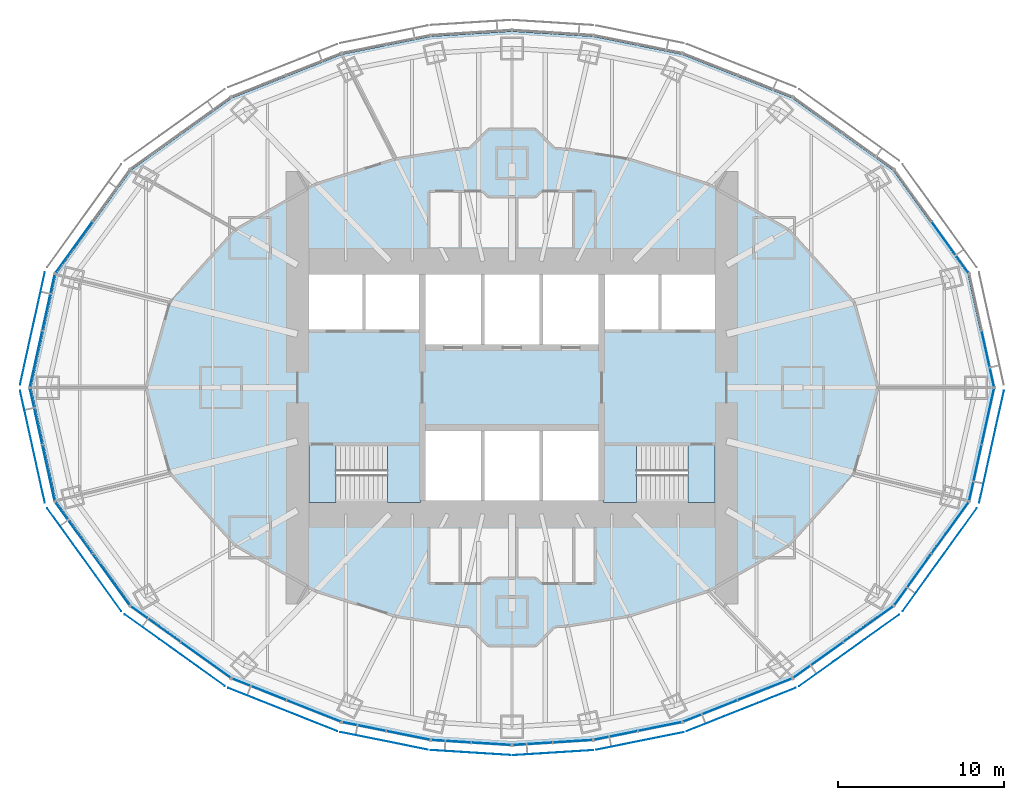
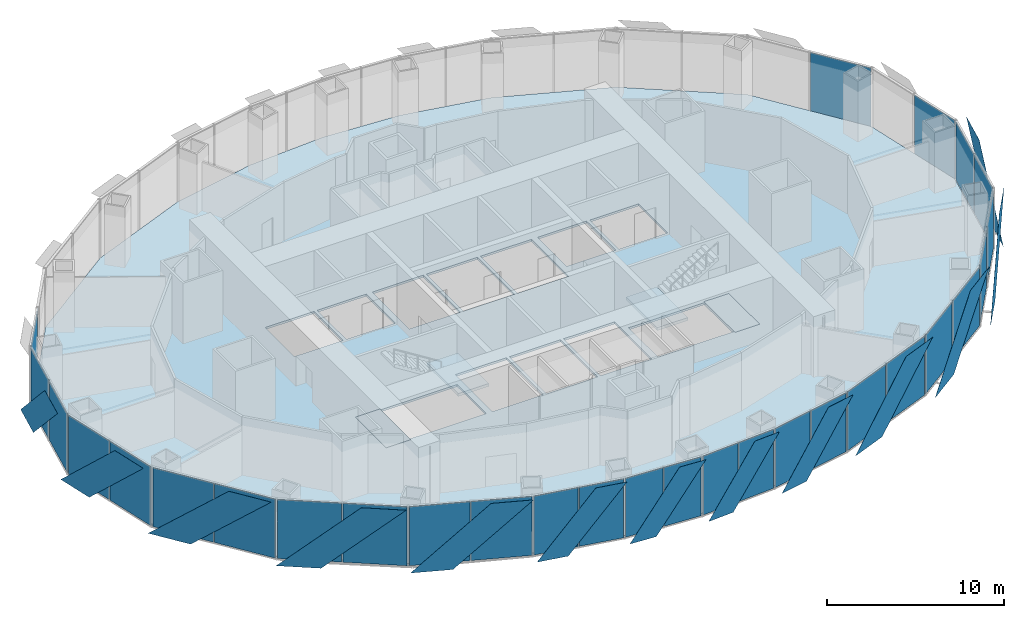
# One storey, part 9 of 17: 42 plates, 5 slabs, 18 elements without a shape of their own.
"""IFC4 building model written with IfcOpenShell, lengths in metres."""

from ifc_helpers import new_model, si_unit, direction, frame, origin, origin_2d, place, context, subcontext, project, spatial, polyline, rectangle, outline, extrude, material, layer, layer_set, type_object, element, aggregate, save


model = new_model("IFC4")

# Units and contexts
model_context = context("Model", 3, precision=1e-05, world=origin(), true_north=direction((0.0, 1.0)))
body_context = subcontext(model_context, "Body", "Model", "MODEL_VIEW")
ifc_project = project(units=[si_unit("LENGTHUNIT", "METRE"), si_unit("AREAUNIT", "SQUARE_METRE"), si_unit("VOLUMEUNIT", "CUBIC_METRE"), si_unit("PLANEANGLEUNIT", "RADIAN"), si_unit("MASSUNIT", "GRAM", prefix="KILO")], contexts=[model_context])

# Site, building, storey
site_placement = place(None, origin())
site = spatial("IfcSite", under=ifc_project, at=site_placement, CompositionType="ELEMENT")
building_placement = place(site_placement, origin())
building = spatial("IfcBuilding", under=site, at=building_placement, Name="Lantaw Convention Tower", CompositionType="ELEMENT")
storey_placement = place(building_placement, frame((0.0, 0.0, 125.800048828125)))
storey = spatial("IfcBuildingStorey", under=building, at=storey_placement, Name="L29", CompositionType="ELEMENT", Elevation=125.800048828125)

# Curtain wall, plate
ifc_material_1 = material(Name="Aluminium framed curtain wall", Category="aluminium")
curtain_wall_type = type_object("IfcCurtainWallType", Name="Office curtain wall low rise, pale aluminium", PredefinedType="USERDEFINED", material=ifc_material_1)
curtain_wall_1_placement = place(storey_placement, origin())
curtain_wall_1 = element("IfcCurtainWall", 1, at=curtain_wall_1_placement, inside=storey, type_object=curtain_wall_type, Name="Office curtain wall low rise, pale aluminium L29", ObjectType="UNITISED CURTAIN WALL", PredefinedType="USERDEFINED")
ifc_material_2 = material(Name="Clear insulating glass", Category="glass")
ifc_layer_1 = layer(ifc_material_2, 0.028076171875)
ifc_layer_set_1 = layer_set([ifc_layer_1], Name="CW-O1 panel 28")
plate_type_1 = type_object("IfcPlateType", Name="CW-O1 panel 28", PredefinedType="CURTAIN_PANEL", material=ifc_layer_set_1)
plate_1_placement = place(storey_placement, frame((28.618408203125, 1.729248046875, -0.0849609375), z_axis=(0.0, 0.0, 1.0), x_axis=(-0.215546166174, 0.9764936509, 0.0)))
plate_1 = element("IfcPlate", 2, at=plate_1_placement, type_object=plate_type_1, Name="CW-O1 panel 1.1", PredefinedType="CURTAIN_PANEL", context=body_context, shape_type="SweptSolid", body=[
    extrude(rectangle(XDim=3.41162109375, YDim=0.028076171875, at=origin_2d()), origin(), (0.0, 0.0, 1.0), 4.070068359375),
])
aggregate(curtain_wall_1, [plate_1])

curtain_wall_2_placement = place(storey_placement, origin())
curtain_wall_2 = element("IfcCurtainWall", 3, at=curtain_wall_2_placement, inside=storey, type_object=curtain_wall_type, Name="Office curtain wall low rise, pale aluminium L29", ObjectType="UNITISED CURTAIN WALL", PredefinedType="USERDEFINED")
plate_2_placement = place(storey_placement, frame((26.34814453125, 8.4345703125, -0.0849609375), z_axis=(0.0, 0.0, 1.0), x_axis=(-0.584512597221, 0.811384633629, 0.0)))
plate_2 = element("IfcPlate", 4, at=plate_2_placement, type_object=plate_type_1, Name="CW-O1 panel 1.1", PredefinedType="CURTAIN_PANEL", context=body_context, shape_type="SweptSolid", body=[
    extrude(rectangle(XDim=3.767333984375, YDim=0.028076171875, at=origin_2d()), origin(), (0.0, 0.0, 1.0), 4.070068359375),
])
aggregate(curtain_wall_2, [plate_2])

curtain_wall_3_placement = place(storey_placement, origin())
curtain_wall_3 = element("IfcCurtainWall", 5, at=curtain_wall_3_placement, inside=storey, type_object=curtain_wall_type, Name="Office curtain wall low rise, pale aluminium L29", ObjectType="UNITISED CURTAIN WALL", PredefinedType="USERDEFINED")
plate_3_placement = place(storey_placement, frame((-26.34814453125, 8.4345703125, -0.0849609375), z_axis=(0.0, 0.0, 1.0), x_axis=(-0.584512597221, -0.811384633629, 0.0)))
plate_3 = element("IfcPlate", 6, at=plate_3_placement, type_object=plate_type_1, Name="CW-O1 panel 2.1", PredefinedType="CURTAIN_PANEL", context=body_context, shape_type="SweptSolid", body=[
    extrude(rectangle(XDim=3.767333984375, YDim=0.028076171875, at=origin_2d()), origin(), (0.0, 0.0, 1.0), 4.070068359375),
])
aggregate(curtain_wall_3, [plate_3])

# Curtain wall, plates
curtain_wall_4_placement = place(storey_placement, origin())
curtain_wall_4 = element("IfcCurtainWall", 7, at=curtain_wall_4_placement, inside=storey, type_object=curtain_wall_type, Name="Office curtain wall low rise, pale aluminium L29", ObjectType="UNITISED CURTAIN WALL", PredefinedType="USERDEFINED")
plate_4_placement = place(storey_placement, frame((-27.868896484375, 5.1240234375, -0.0849609375), z_axis=(0.0, 0.0, 1.0), x_axis=(-0.215546166174, -0.9764936509, 0.0)))
plate_4 = element("IfcPlate", 8, at=plate_4_placement, type_object=plate_type_1, Name="CW-O1 panel 1.1", PredefinedType="CURTAIN_PANEL", context=body_context, shape_type="SweptSolid", body=[
    extrude(rectangle(XDim=3.41162109375, YDim=0.028076171875, at=origin_2d()), origin(), (0.0, 0.0, 1.0), 4.070068359375),
])
plate_5_placement = place(storey_placement, frame((-28.618408203125, 1.729248046875, -0.0849609375), z_axis=(0.0, 0.0, 1.0), x_axis=(-0.215546166174, -0.9764936509, 0.0)))
plate_5 = element("IfcPlate", 9, at=plate_5_placement, type_object=plate_type_1, Name="CW-O1 panel 2.1", PredefinedType="CURTAIN_PANEL", context=body_context, shape_type="SweptSolid", body=[
    extrude(rectangle(XDim=3.41162109375, YDim=0.028076171875, at=origin_2d()), origin(), (0.0, 0.0, 1.0), 4.070068359375),
])
aggregate(curtain_wall_4, [plate_4, plate_5])

curtain_wall_5_placement = place(storey_placement, origin())
curtain_wall_5 = element("IfcCurtainWall", 10, at=curtain_wall_5_placement, inside=storey, type_object=curtain_wall_type, Name="Office curtain wall low rise, pale aluminium L29", ObjectType="UNITISED CURTAIN WALL", PredefinedType="USERDEFINED")
plate_6_placement = place(storey_placement, frame((-28.618408203125, -1.729248046875, -0.0849609375), z_axis=(0.0, 0.0, 1.0), x_axis=(0.215546166174, -0.9764936509, 0.0)))
plate_6 = element("IfcPlate", 11, at=plate_6_placement, type_object=plate_type_1, Name="CW-O1 panel 1.1", PredefinedType="CURTAIN_PANEL", context=body_context, shape_type="SweptSolid", body=[
    extrude(rectangle(XDim=3.41162109375, YDim=0.028076171875, at=origin_2d()), origin(), (0.0, 0.0, 1.0), 4.070068359375),
])
plate_7_placement = place(storey_placement, frame((-27.868896484375, -5.1240234375, -0.0849609375), z_axis=(0.0, 0.0, 1.0), x_axis=(0.215546166174, -0.9764936509, 0.0)))
plate_7 = element("IfcPlate", 12, at=plate_7_placement, type_object=plate_type_1, Name="CW-O1 panel 2.1", PredefinedType="CURTAIN_PANEL", context=body_context, shape_type="SweptSolid", body=[
    extrude(rectangle(XDim=3.41162109375, YDim=0.028076171875, at=origin_2d()), origin(), (0.0, 0.0, 1.0), 4.070068359375),
])
aggregate(curtain_wall_5, [plate_6, plate_7])

curtain_wall_6_placement = place(storey_placement, origin())
curtain_wall_6 = element("IfcCurtainWall", 13, at=curtain_wall_6_placement, inside=storey, type_object=curtain_wall_type, Name="Office curtain wall low rise, pale aluminium L29", ObjectType="UNITISED CURTAIN WALL", PredefinedType="USERDEFINED")
plate_8_placement = place(storey_placement, frame((-26.34814453125, -8.4345703125, -0.0849609375), z_axis=(0.0, 0.0, 1.0), x_axis=(0.584512597221, -0.811384633629, 0.0)))
plate_8 = element("IfcPlate", 14, at=plate_8_placement, type_object=plate_type_1, Name="CW-O1 panel 1.1", PredefinedType="CURTAIN_PANEL", context=body_context, shape_type="SweptSolid", body=[
    extrude(rectangle(XDim=3.767333984375, YDim=0.028076171875, at=origin_2d()), origin(), (0.0, 0.0, 1.0), 4.070068359375),
])
plate_9_placement = place(storey_placement, frame((-24.108154296875, -11.5439453125, -0.0849609375), z_axis=(0.0, 0.0, 1.0), x_axis=(0.584512597221, -0.811384633629, 0.0)))
plate_9 = element("IfcPlate", 15, at=plate_9_placement, type_object=plate_type_1, Name="CW-O1 panel 2.1", PredefinedType="CURTAIN_PANEL", context=body_context, shape_type="SweptSolid", body=[
    extrude(rectangle(XDim=3.767333984375, YDim=0.028076171875, at=origin_2d()), origin(), (0.0, 0.0, 1.0), 4.070068359375),
])
aggregate(curtain_wall_6, [plate_8, plate_9])

curtain_wall_7_placement = place(storey_placement, origin())
curtain_wall_7 = element("IfcCurtainWall", 16, at=curtain_wall_7_placement, inside=storey, type_object=curtain_wall_type, Name="Office curtain wall low rise, pale aluminium L29", ObjectType="UNITISED CURTAIN WALL", PredefinedType="USERDEFINED")
plate_10_placement = place(storey_placement, frame((-21.43408203125, -14.2236328125, -0.0849609375), z_axis=(0.0, 0.0, 1.0), x_axis=(0.813208325995, -0.581972695693, 0.0)))
plate_10 = element("IfcPlate", 17, at=plate_10_placement, type_object=plate_type_1, Name="CW-O1 panel 1.1", PredefinedType="CURTAIN_PANEL", context=body_context, shape_type="SweptSolid", body=[
    extrude(rectangle(XDim=3.645263671875, YDim=0.028076171875, at=origin_2d()), origin(), (0.0, 0.0, 1.0), 4.070068359375),
])
plate_11_placement = place(storey_placement, frame((-18.416748046875, -16.383056640625, -0.0849609375), z_axis=(0.0, 0.0, 1.0), x_axis=(0.813208325995, -0.581972695693, 0.0)))
plate_11 = element("IfcPlate", 18, at=plate_11_placement, type_object=plate_type_1, Name="CW-O1 panel 2.1", PredefinedType="CURTAIN_PANEL", context=body_context, shape_type="SweptSolid", body=[
    extrude(rectangle(XDim=3.645263671875, YDim=0.028076171875, at=origin_2d()), origin(), (0.0, 0.0, 1.0), 4.070068359375),
])
aggregate(curtain_wall_7, [plate_10, plate_11])

curtain_wall_8_placement = place(storey_placement, origin())
curtain_wall_8 = element("IfcCurtainWall", 19, at=curtain_wall_8_placement, inside=storey, type_object=curtain_wall_type, Name="Office curtain wall low rise, pale aluminium L29", ObjectType="UNITISED CURTAIN WALL", PredefinedType="USERDEFINED")
plate_12_placement = place(storey_placement, frame((-15.208251953125, -18.145263671875, -0.0849609375), z_axis=(0.0, 0.0, 1.0), x_axis=(0.929547687544, -0.368701907483, 0.0)))
plate_12 = element("IfcPlate", 20, at=plate_12_placement, type_object=plate_type_1, Name="CW-O1 panel 1.1", PredefinedType="CURTAIN_PANEL", context=body_context, shape_type="SweptSolid", body=[
    extrude(rectangle(XDim=3.470703125, YDim=0.028076171875, at=origin_2d()), origin(), (0.0, 0.0, 1.0), 4.070068359375),
])
plate_13_placement = place(storey_placement, frame((-11.921630859375, -19.448974609375, -0.0849609375), z_axis=(0.0, 0.0, 1.0), x_axis=(0.929547687544, -0.368701907483, 0.0)))
plate_13 = element("IfcPlate", 21, at=plate_13_placement, type_object=plate_type_1, Name="CW-O1 panel 2.1", PredefinedType="CURTAIN_PANEL", context=body_context, shape_type="SweptSolid", body=[
    extrude(rectangle(XDim=3.470703125, YDim=0.028076171875, at=origin_2d()), origin(), (0.0, 0.0, 1.0), 4.070068359375),
])
aggregate(curtain_wall_8, [plate_12, plate_13])

curtain_wall_9_placement = place(storey_placement, origin())
curtain_wall_9 = element("IfcCurtainWall", 22, at=curtain_wall_9_placement, inside=storey, type_object=curtain_wall_type, Name="Office curtain wall low rise, pale aluminium L29", ObjectType="UNITISED CURTAIN WALL", PredefinedType="USERDEFINED")
plate_14_placement = place(storey_placement, frame((-8.893310546875, -20.3857421875, -0.0849609375), z_axis=(0.0, 0.0, 1.0), x_axis=(0.980301514912, -0.197506809659, 0.0)))
plate_14 = element("IfcPlate", 23, at=plate_14_placement, type_object=plate_type_1, Name="CW-O1 panel 1.1", PredefinedType="CURTAIN_PANEL", context=body_context, shape_type="SweptSolid", body=[
    extrude(rectangle(XDim=2.634033203125, YDim=0.028076171875, at=origin_2d()), origin(), (0.0, 0.0, 1.0), 4.070068359375),
])
plate_15_placement = place(storey_placement, frame((-6.247314453125, -20.9189453125, -0.0849609375), z_axis=(0.0, 0.0, 1.0), x_axis=(0.980301514912, -0.197506809659, 0.0)))
plate_15 = element("IfcPlate", 24, at=plate_15_placement, type_object=plate_type_1, Name="CW-O1 panel 2.1", PredefinedType="CURTAIN_PANEL", context=body_context, shape_type="SweptSolid", body=[
    extrude(rectangle(XDim=2.634033203125, YDim=0.028076171875, at=origin_2d()), origin(), (0.0, 0.0, 1.0), 4.070068359375),
])
aggregate(curtain_wall_9, [plate_14, plate_15])

curtain_wall_10_placement = place(storey_placement, origin())
curtain_wall_10 = element("IfcCurtainWall", 25, at=curtain_wall_10_placement, inside=storey, type_object=curtain_wall_type, Name="Office curtain wall low rise, pale aluminium L29", ObjectType="UNITISED CURTAIN WALL", PredefinedType="USERDEFINED")
plate_16_placement = place(storey_placement, frame((-3.653076171875, -21.269775390625, -0.0849609375), z_axis=(0.0, 0.0, 1.0), x_axis=(0.998022035978, -0.062865059466, 0.0)))
plate_16 = element("IfcPlate", 26, at=plate_16_placement, type_object=plate_type_1, Name="CW-O1 panel 1.1", PredefinedType="CURTAIN_PANEL", context=body_context, shape_type="SweptSolid", body=[
    extrude(rectangle(XDim=2.353515625, YDim=0.028076171875, at=origin_2d()), origin(), (0.0, 0.0, 1.0), 4.070068359375),
])
plate_17_placement = place(storey_placement, frame((-1.2392578125, -21.421875, -0.0849609375), z_axis=(0.0, 0.0, 1.0), x_axis=(0.998022035978, -0.062865059466, 0.0)))
plate_17 = element("IfcPlate", 27, at=plate_17_placement, type_object=plate_type_1, Name="CW-O1 panel 2.1", PredefinedType="CURTAIN_PANEL", context=body_context, shape_type="SweptSolid", body=[
    extrude(rectangle(XDim=2.353515625, YDim=0.028076171875, at=origin_2d()), origin(), (0.0, 0.0, 1.0), 4.070068359375),
])
aggregate(curtain_wall_10, [plate_16, plate_17])

curtain_wall_11_placement = place(storey_placement, origin())
curtain_wall_11 = element("IfcCurtainWall", 28, at=curtain_wall_11_placement, inside=storey, type_object=curtain_wall_type, Name="Office curtain wall low rise, pale aluminium L29", ObjectType="UNITISED CURTAIN WALL", PredefinedType="USERDEFINED")
plate_18_placement = place(storey_placement, frame((1.2392578125, -21.421875, -0.0849609375), z_axis=(0.0, 0.0, 1.0), x_axis=(0.998022035978, 0.062865059466, 0.0)))
plate_18 = element("IfcPlate", 29, at=plate_18_placement, type_object=plate_type_1, Name="CW-O1 panel 1.1", PredefinedType="CURTAIN_PANEL", context=body_context, shape_type="SweptSolid", body=[
    extrude(rectangle(XDim=2.353515625, YDim=0.028076171875, at=origin_2d()), origin(), (0.0, 0.0, 1.0), 4.070068359375),
])
plate_19_placement = place(storey_placement, frame((3.653076171875, -21.269775390625, -0.0849609375), z_axis=(0.0, 0.0, 1.0), x_axis=(0.998022035978, 0.062865059466, 0.0)))
plate_19 = element("IfcPlate", 30, at=plate_19_placement, type_object=plate_type_1, Name="CW-O1 panel 2.1", PredefinedType="CURTAIN_PANEL", context=body_context, shape_type="SweptSolid", body=[
    extrude(rectangle(XDim=2.353515625, YDim=0.028076171875, at=origin_2d()), origin(), (0.0, 0.0, 1.0), 4.070068359375),
])
aggregate(curtain_wall_11, [plate_18, plate_19])

curtain_wall_12_placement = place(storey_placement, origin())
curtain_wall_12 = element("IfcCurtainWall", 31, at=curtain_wall_12_placement, inside=storey, type_object=curtain_wall_type, Name="Office curtain wall low rise, pale aluminium L29", ObjectType="UNITISED CURTAIN WALL", PredefinedType="USERDEFINED")
plate_20_placement = place(storey_placement, frame((6.247314453125, -20.9189453125, -0.0849609375), z_axis=(0.0, 0.0, 1.0), x_axis=(0.980301514912, 0.197506809659, 0.0)))
plate_20 = element("IfcPlate", 32, at=plate_20_placement, type_object=plate_type_1, Name="CW-O1 panel 1.1", PredefinedType="CURTAIN_PANEL", context=body_context, shape_type="SweptSolid", body=[
    extrude(rectangle(XDim=2.634033203125, YDim=0.028076171875, at=origin_2d()), origin(), (0.0, 0.0, 1.0), 4.070068359375),
])
plate_21_placement = place(storey_placement, frame((8.893310546875, -20.3857421875, -0.0849609375), z_axis=(0.0, 0.0, 1.0), x_axis=(0.980301514912, 0.197506809659, 0.0)))
plate_21 = element("IfcPlate", 33, at=plate_21_placement, type_object=plate_type_1, Name="CW-O1 panel 2.1", PredefinedType="CURTAIN_PANEL", context=body_context, shape_type="SweptSolid", body=[
    extrude(rectangle(XDim=2.634033203125, YDim=0.028076171875, at=origin_2d()), origin(), (0.0, 0.0, 1.0), 4.070068359375),
])
aggregate(curtain_wall_12, [plate_20, plate_21])

curtain_wall_13_placement = place(storey_placement, origin())
curtain_wall_13 = element("IfcCurtainWall", 34, at=curtain_wall_13_placement, inside=storey, type_object=curtain_wall_type, Name="Office curtain wall low rise, pale aluminium L29", ObjectType="UNITISED CURTAIN WALL", PredefinedType="USERDEFINED")
plate_22_placement = place(storey_placement, frame((11.921630859375, -19.448974609375, -0.0849609375), z_axis=(0.0, 0.0, 1.0), x_axis=(0.929547687544, 0.368701907483, 0.0)))
plate_22 = element("IfcPlate", 35, at=plate_22_placement, type_object=plate_type_1, Name="CW-O1 panel 1.1", PredefinedType="CURTAIN_PANEL", context=body_context, shape_type="SweptSolid", body=[
    extrude(rectangle(XDim=3.470703125, YDim=0.028076171875, at=origin_2d()), origin(), (0.0, 0.0, 1.0), 4.070068359375),
])
plate_23_placement = place(storey_placement, frame((15.208251953125, -18.145263671875, -0.0849609375), z_axis=(0.0, 0.0, 1.0), x_axis=(0.929547687544, 0.368701907483, 0.0)))
plate_23 = element("IfcPlate", 36, at=plate_23_placement, type_object=plate_type_1, Name="CW-O1 panel 2.1", PredefinedType="CURTAIN_PANEL", context=body_context, shape_type="SweptSolid", body=[
    extrude(rectangle(XDim=3.470703125, YDim=0.028076171875, at=origin_2d()), origin(), (0.0, 0.0, 1.0), 4.070068359375),
])
aggregate(curtain_wall_13, [plate_22, plate_23])

curtain_wall_14_placement = place(storey_placement, origin())
curtain_wall_14 = element("IfcCurtainWall", 37, at=curtain_wall_14_placement, inside=storey, type_object=curtain_wall_type, Name="Office curtain wall low rise, pale aluminium L29", ObjectType="UNITISED CURTAIN WALL", PredefinedType="USERDEFINED")
plate_24_placement = place(storey_placement, frame((18.416748046875, -16.383056640625, -0.0849609375), z_axis=(0.0, 0.0, 1.0), x_axis=(0.813208325995, 0.581972695693, 0.0)))
plate_24 = element("IfcPlate", 38, at=plate_24_placement, type_object=plate_type_1, Name="CW-O1 panel 1.1", PredefinedType="CURTAIN_PANEL", context=body_context, shape_type="SweptSolid", body=[
    extrude(rectangle(XDim=3.645263671875, YDim=0.028076171875, at=origin_2d()), origin(), (0.0, 0.0, 1.0), 4.070068359375),
])
plate_25_placement = place(storey_placement, frame((21.43408203125, -14.2236328125, -0.0849609375), z_axis=(0.0, 0.0, 1.0), x_axis=(0.813208325995, 0.581972695693, 0.0)))
plate_25 = element("IfcPlate", 39, at=plate_25_placement, type_object=plate_type_1, Name="CW-O1 panel 2.1", PredefinedType="CURTAIN_PANEL", context=body_context, shape_type="SweptSolid", body=[
    extrude(rectangle(XDim=3.645263671875, YDim=0.028076171875, at=origin_2d()), origin(), (0.0, 0.0, 1.0), 4.070068359375),
])
aggregate(curtain_wall_14, [plate_24, plate_25])

curtain_wall_15_placement = place(storey_placement, origin())
curtain_wall_15 = element("IfcCurtainWall", 40, at=curtain_wall_15_placement, inside=storey, type_object=curtain_wall_type, Name="Office curtain wall low rise, pale aluminium L29", ObjectType="UNITISED CURTAIN WALL", PredefinedType="USERDEFINED")
plate_26_placement = place(storey_placement, frame((24.108154296875, -11.5439453125, -0.0849609375), z_axis=(0.0, 0.0, 1.0), x_axis=(0.584512597221, 0.811384633629, 0.0)))
plate_26 = element("IfcPlate", 41, at=plate_26_placement, type_object=plate_type_1, Name="CW-O1 panel 1.1", PredefinedType="CURTAIN_PANEL", context=body_context, shape_type="SweptSolid", body=[
    extrude(rectangle(XDim=3.767333984375, YDim=0.028076171875, at=origin_2d()), origin(), (0.0, 0.0, 1.0), 4.070068359375),
])
plate_27_placement = place(storey_placement, frame((26.34814453125, -8.4345703125, -0.0849609375), z_axis=(0.0, 0.0, 1.0), x_axis=(0.584512597221, 0.811384633629, 0.0)))
plate_27 = element("IfcPlate", 42, at=plate_27_placement, type_object=plate_type_1, Name="CW-O1 panel 2.1", PredefinedType="CURTAIN_PANEL", context=body_context, shape_type="SweptSolid", body=[
    extrude(rectangle(XDim=3.767333984375, YDim=0.028076171875, at=origin_2d()), origin(), (0.0, 0.0, 1.0), 4.070068359375),
])
aggregate(curtain_wall_15, [plate_26, plate_27])

curtain_wall_16_placement = place(storey_placement, origin())
curtain_wall_16 = element("IfcCurtainWall", 43, at=curtain_wall_16_placement, inside=storey, type_object=curtain_wall_type, Name="Office curtain wall low rise, pale aluminium L29", ObjectType="UNITISED CURTAIN WALL", PredefinedType="USERDEFINED")
plate_28_placement = place(storey_placement, frame((27.868896484375, -5.1240234375, -0.0849609375), z_axis=(0.0, 0.0, 1.0), x_axis=(0.215546166174, 0.9764936509, 0.0)))
plate_28 = element("IfcPlate", 44, at=plate_28_placement, type_object=plate_type_1, Name="CW-O1 panel 1.1", PredefinedType="CURTAIN_PANEL", context=body_context, shape_type="SweptSolid", body=[
    extrude(rectangle(XDim=3.41162109375, YDim=0.028076171875, at=origin_2d()), origin(), (0.0, 0.0, 1.0), 4.070068359375),
])
plate_29_placement = place(storey_placement, frame((28.618408203125, -1.729248046875, -0.0849609375), z_axis=(0.0, 0.0, 1.0), x_axis=(0.215546166174, 0.9764936509, 0.0)))
plate_29 = element("IfcPlate", 45, at=plate_29_placement, type_object=plate_type_1, Name="CW-O1 panel 2.1", PredefinedType="CURTAIN_PANEL", context=body_context, shape_type="SweptSolid", body=[
    extrude(rectangle(XDim=3.41162109375, YDim=0.028076171875, at=origin_2d()), origin(), (0.0, 0.0, 1.0), 4.070068359375),
])
aggregate(curtain_wall_16, [plate_28, plate_29])

# Slab
ifc_material_3 = material(Name="Concrete C35/45", Category="concrete")
ifc_layer_2 = layer(ifc_material_3, 0.14990234375)
ifc_layer_set_2 = layer_set([ifc_layer_2], Name="Floor slab 150")
slab_type_1 = type_object("IfcSlabType", Name="Floor slab 150", PredefinedType="FLOOR", material=ifc_layer_set_2)
slab_1_placement = place(storey_placement, frame((0.0, 0.0, -0.150146484375)))
element("IfcSlab", 46, at=slab_1_placement, inside=storey, type_object=slab_type_1, Name="L29 floor slab", PredefinedType="FLOOR", context=body_context, shape_type="SweptSolid", body=[
    extrude(outline(polyline([(27.417236328125, -6.822021484375), (28.923095703125, 0.0), (27.417236328125, 6.822021484375), (22.915283203125, 13.0712890625), (16.845458984375, 17.415283203125), (10.2265625, 20.04052734375), (4.8828125, 21.1171875), (0.0, 21.4248046875), (-4.8828125, 21.1171875), (-10.2265625, 20.04052734375), (-16.845458984375, 17.415283203125), (-22.915283203125, 13.0712890625), (-27.417236328125, 6.822021484375), (-28.923095703125, 0.0), (-27.417236328125, -6.822021484375), (-22.915283203125, -13.0712890625), (-16.845458984375, -17.415283203125), (-10.2265625, -20.04052734375), (-4.8828125, -21.1171875), (0.0, -21.4248046875), (4.8828125, -21.1171875), (10.2265625, -20.04052734375), (16.845458984375, -17.415283203125), (22.915283203125, -13.0712890625), (27.417236328125, -6.822021484375)]), holes=[polyline([(-5.60009765625, -3.5), (-12.199951171875, -3.5), (-12.199951171875, -6.800048828125), (-5.60009765625, -6.800048828125), (-5.60009765625, -3.5)]), polyline([(-1.86669921875, -6.800048828125), (-1.86669921875, -2.60009765625), (-5.199951171875, -2.60009765625), (-5.199951171875, -6.800048828125), (-1.86669921875, -6.800048828125)]), polyline([(-1.86669921875, 2.60009765625), (-1.86669921875, 6.800048828125), (-5.199951171875, 6.800048828125), (-5.199951171875, 2.60009765625), (-1.86669921875, 2.60009765625)]), polyline([(1.666748046875, 6.800048828125), (-1.666748046875, 6.800048828125), (-1.666748046875, 2.60009765625), (1.666748046875, 2.60009765625), (1.666748046875, 6.800048828125)]), polyline([(-9.0, 3.5), (-9.0, 6.800048828125), (-12.199951171875, 6.800048828125), (-12.199951171875, 3.5), (-9.0, 3.5)]), polyline([(-5.60009765625, 3.5), (-5.60009765625, 6.800048828125), (-8.800048828125, 6.800048828125), (-8.800048828125, 3.5), (-5.60009765625, 3.5)]), polyline([(12.199951171875, -3.5), (5.60009765625, -3.5), (5.60009765625, -6.800048828125), (12.199951171875, -6.800048828125), (12.199951171875, -3.5)]), polyline([(1.666748046875, -6.800048828125), (1.666748046875, -2.60009765625), (-1.666748046875, -2.60009765625), (-1.666748046875, -6.800048828125), (1.666748046875, -6.800048828125)]), polyline([(5.199951171875, -6.800048828125), (5.199951171875, -2.60009765625), (1.86669921875, -2.60009765625), (1.86669921875, -6.800048828125), (5.199951171875, -6.800048828125)]), polyline([(5.199951171875, 6.800048828125), (1.86669921875, 6.800048828125), (1.86669921875, 2.60009765625), (5.199951171875, 2.60009765625), (5.199951171875, 6.800048828125)]), polyline([(8.800048828125, 3.5), (8.800048828125, 6.800048828125), (5.60009765625, 6.800048828125), (5.60009765625, 3.5), (8.800048828125, 3.5)]), polyline([(12.199951171875, 3.5), (12.199951171875, 6.800048828125), (9.0, 6.800048828125), (9.0, 3.5), (12.199951171875, 3.5)])]), origin(), (0.0, 0.0, 1.0), 0.150146484375),
])

# Plates
ifc_material_4 = material(Name="Perforated aluminium sheet, pale silver finish", Category="aluminium")
ifc_layer_3 = layer(ifc_material_4, 0.006103515625)
ifc_layer_set_3 = layer_set([ifc_layer_3], Name="Perforated aluminium solar SCREEN panel")
plate_type_2 = type_object("IfcPlateType", Name="Perforated aluminium solar SCREEN panel", PredefinedType="SHEET", material=ifc_layer_set_3)
plate_30_placement = place(storey_placement, frame((-28.08984375, 6.93505859375, -0.175048828125), z_axis=(0.976497812463, -0.215527309509, 3.332717e-05), x_axis=(-0.215527309629, -0.976497813005, -1.665e-09)))
element("IfcPlate", 47, at=plate_30_placement, inside=storey, type_object=plate_type_2, Name="Solar SCREEN panel", PredefinedType="SHEET", context=body_context, shape_type="SweptSolid", body=[
    extrude(outline(polyline([(0.0, 0.0), (2.386131748388921, 0.0), (6.918240176095255, -4.340087904553372), (4.532055808734257, -4.3400878966079945), (0.0, 0.0)])), origin(), (0.0, 0.0, -1.0), 0.006103515625),
])
plate_31_placement = place(storey_placement, frame((-29.5810546875, -0.179443359375, -0.175048828125), z_axis=(-0.976497812463, -0.215527309509, 3.332717e-05), x_axis=(0.215527309629, -0.976497813005, 1.665e-09)))
element("IfcPlate", 48, at=plate_31_placement, inside=storey, type_object=plate_type_2, Name="Solar SCREEN panel", PredefinedType="SHEET", context=body_context, shape_type="SweptSolid", body=[
    extrude(outline(polyline([(0.0, 0.0), (2.3861843673609986, 3.3881317890172014e-21), (6.918240190546627, 4.340087881517419), (4.532108442157707, 4.340087889462621), (0.0, 0.0)])), origin(), (0.0, 0.0, -1.0), 0.006103515625),
])
plate_32_placement = place(storey_placement, frame((-27.94970703125, -7.248046875, -0.175048828125), z_axis=(-0.81139512159, -0.584498037099, 3.5886784e-05), x_axis=(0.584498037475, -0.811395122112, -9.74e-10)))
element("IfcPlate", 49, at=plate_32_placement, inside=storey, type_object=plate_type_2, Name="Solar SCREEN panel", PredefinedType="SHEET", context=body_context, shape_type="SweptSolid", body=[
    extrude(outline(polyline([(0.0, 0.0), (2.628222178575422, -6.776263578034403e-21), (7.629778257969264, 4.340087900852944), (5.001754173906077, 4.340087895732103), (0.0, 0.0)])), origin(), (0.0, 0.0, -1.0), 0.006103515625),
])
plate_33_placement = place(storey_placement, frame((-23.281005859375, -13.64697265625, -0.175048828125), z_axis=(-0.582000183937, -0.813188653244, 1.1537145e-05), x_axis=(0.813188653298, -0.582000183975, 0.0)))
element("IfcPlate", 50, at=plate_33_placement, inside=storey, type_object=plate_type_2, Name="Solar SCREEN panel", PredefinedType="SHEET", context=body_context, shape_type="SweptSolid", body=[
    extrude(outline(polyline([(0.0, 0.0), (2.5450183911586484, 0.0), (7.385531276904658, 4.340087890913846), (4.840512885746009, 4.340087890913846), (0.0, 0.0)])), origin(), (0.0, 0.0, -1.0), 0.006103515625),
])
plate_34_placement = place(storey_placement, frame((-17.05859375, -18.063232421875, -0.175048828125), z_axis=(0.368708915367, 0.929544907797, 1.086705e-05), x_axis=(0.929544907851, -0.368708915389, 7.1e-10)))
element("IfcPlate", 51, at=plate_34_placement, inside=storey, type_object=plate_type_2, Name="Solar SCREEN panel", PredefinedType="SHEET", context=body_context, shape_type="SweptSolid", body=[
    extrude(outline(polyline([(0.0, 0.0), (2.4263803793049097, -1.6940658945086007e-21), (7.036549629566982, -4.340087885886879), (4.61003232741235, -4.340087889331358), (0.0, 0.0)])), origin(), (0.0, 0.0, -1.0), 0.006103515625),
])
plate_35_placement = place(storey_placement, frame((-10.318603515625, -20.716796875, -0.175048828125), z_axis=(-0.197556725442, -0.980291455983, 3.9483498e-05), x_axis=(0.980291456747, -0.197556725596, 0.0)))
element("IfcPlate", 52, at=plate_35_placement, inside=storey, type_object=plate_type_2, Name="Solar SCREEN panel", PredefinedType="SHEET", context=body_context, shape_type="SweptSolid", body=[
    extrude(outline(polyline([(0.0, 0.0), (1.8574075788555457, 3.3881317890172014e-21), (5.362987026845185, 4.340087894007983), (3.505579447989639, 4.340087894007983), (0.0, 0.0)])), origin(), (0.0, 0.0, -1.0), 0.006103515625),
])
plate_36_placement = place(storey_placement, frame((-4.880615234375, -21.7998046875, -0.175048828125), z_axis=(-0.062838799866, -0.998023689713, 1.755059e-06), x_axis=(0.998023689715, -0.062838799866, -8e-12)))
element("IfcPlate", 53, at=plate_36_placement, inside=storey, type_object=plate_type_2, Name="Solar SCREEN panel", PredefinedType="SHEET", context=body_context, shape_type="SweptSolid", body=[
    extrude(outline(polyline([(0.0, 0.0), (1.6666243269452135, 2.6469779601696886e-23), (4.802214797186689, 4.340087890670476), (3.135346812114104, 4.340087890643548), (0.0, 0.0)])), origin(), (0.0, 0.0, -1.0), 0.006103515625),
])
plate_37_placement = place(storey_placement, frame((0.087890625, -22.1015625, -0.175048828125), z_axis=(-0.062838799866, 0.998023689713, 1.755059e-06), x_axis=(0.998023689715, 0.062838799866, 8e-12)))
element("IfcPlate", 54, at=plate_37_placement, inside=storey, type_object=plate_type_2, Name="Solar SCREEN panel", PredefinedType="SHEET", context=body_context, shape_type="SweptSolid", body=[
    extrude(outline(polyline([(0.0, 0.0), (1.6668679850725854, -5.293955920339377e-23), (4.802214797256801, -4.340087890592899), (3.1355904703115876, -4.340087890619822), (0.0, 0.0)])), origin(), (0.0, 0.0, -1.0), 0.006103515625),
])
plate_38_placement = place(storey_placement, frame((5.061279296875, -21.776123046875, -0.175048828125), z_axis=(-0.197556725442, 0.980291455983, 3.9483498e-05), x_axis=(0.980291456747, 0.197556725596, 0.0)))
element("IfcPlate", 55, at=plate_38_placement, inside=storey, type_object=plate_type_2, Name="Solar SCREEN panel", PredefinedType="SHEET", context=body_context, shape_type="SweptSolid", body=[
    extrude(outline(polyline([(0.0, 0.0), (1.8574075788555457, -3.3881317890172014e-21), (5.362987026845185, -4.340087894007983), (3.505579447989639, -4.340087894007983), (0.0, 0.0)])), origin(), (0.0, 0.0, -1.0), 0.006103515625),
])
plate_39_placement = place(storey_placement, frame((10.517822265625, -20.65771484375, -0.175048828125), z_axis=(0.368708915367, -0.929544907797, 1.086705e-05), x_axis=(0.929544907851, 0.368708915389, -7.1e-10)))
element("IfcPlate", 56, at=plate_39_placement, inside=storey, type_object=plate_type_2, Name="Solar SCREEN panel", PredefinedType="SHEET", context=body_context, shape_type="SweptSolid", body=[
    extrude(outline(polyline([(0.0, 0.0), (2.426517302154632, -1.6940658945086007e-21), (7.036549623406159, 4.340087895875372), (4.610169244101249, 4.340087892431086), (0.0, 0.0)])), origin(), (0.0, 0.0, -1.0), 0.006103515625),
])
plate_40_placement = place(storey_placement, frame((17.275146484375, -17.9453125, -0.175048828125), z_axis=(-0.582000183937, 0.813188653244, 1.1537145e-05), x_axis=(0.813188653298, 0.582000183975, 0.0)))
element("IfcPlate", 57, at=plate_40_placement, inside=storey, type_object=plate_type_2, Name="Solar SCREEN panel", PredefinedType="SHEET", context=body_context, shape_type="SweptSolid", body=[
    extrude(outline(polyline([(0.0, 0.0), (2.5450183911586484, 0.0), (7.385531276904658, -4.340087890913846), (4.840512885746009, -4.340087890913846), (0.0, 0.0)])), origin(), (0.0, 0.0, -1.0), 0.006103515625),
])
plate_41_placement = place(storey_placement, frame((23.489990234375, -13.438720703125, -0.175048828125), z_axis=(-0.81139512159, 0.584498037099, 3.5886784e-05), x_axis=(0.584498037475, 0.811395122112, 9.74e-10)))
element("IfcPlate", 58, at=plate_41_placement, inside=storey, type_object=plate_type_2, Name="Solar SCREEN panel", PredefinedType="SHEET", context=body_context, shape_type="SweptSolid", body=[
    extrude(outline(polyline([(0.0, 0.0), (2.6280240840631874, -6.776263578034403e-21), (7.6297782664261495, -4.340087885985926), (5.0015560878507275, -4.340087891107152), (0.0, 0.0)])), origin(), (0.0, 0.0, -1.0), 0.006103515625),
])
plate_42_placement = place(storey_placement, frame((28.08984375, -6.93505859375, -0.175048828125), z_axis=(-0.976497812463, 0.215527309509, 3.332717e-05), x_axis=(0.215527309629, 0.976497813005, -1.665e-09)))
element("IfcPlate", 59, at=plate_42_placement, inside=storey, type_object=plate_type_2, Name="Solar SCREEN panel", PredefinedType="SHEET", context=body_context, shape_type="SweptSolid", body=[
    extrude(outline(polyline([(0.0, 0.0), (2.386131748388921, 0.0), (6.918240176095255, -4.340087904553372), (4.532055808734257, -4.3400878966079945), (0.0, 0.0)])), origin(), (0.0, 0.0, -1.0), 0.006103515625),
])

# Stair, slabs
stair_type = type_object("IfcStairType", Name="Exit stair 1500 riser 175 in 2 flights", PredefinedType="HALF_TURN_STAIR", material=ifc_material_3)
stair_1_placement = place(storey_placement, origin())
stair_1 = element("IfcStair", 60, at=stair_1_placement, inside=storey, type_object=stair_type, Name="Exit stair S1 L29", PredefinedType="HALF_TURN_STAIR")
ifc_layer_4 = layer(ifc_material_3, 0.199951171875)
ifc_layer_set_4 = layer_set([ifc_layer_4], Name="Stair landing 200")
slab_type_2 = type_object("IfcSlabType", Name="Stair landing 200", PredefinedType="LANDING", material=ifc_layer_set_4)
slab_2_placement = place(storey_placement, frame((0.0, 0.0, -0.199951171875)))
slab_2 = element("IfcSlab", 61, at=slab_2_placement, type_object=slab_type_2, Name="S1 landing 1", PredefinedType="LANDING", context=body_context, shape_type="SweptSolid", body=[
    extrude(outline(polyline([(-12.199951171875, -6.89990234375), (-10.580078125, -6.89990234375), (-10.580078125, -3.39990234375), (-12.199951171875, -3.39990234375), (-12.199951171875, -6.89990234375)])), origin(), (0.0, 0.0, 1.0), 0.199951171875),
])
slab_3_placement = place(storey_placement, frame((0.0, 0.0, 1.89990234375)))
slab_3 = element("IfcSlab", 62, at=slab_3_placement, type_object=slab_type_2, Name="S1 landing 2", PredefinedType="LANDING", context=body_context, shape_type="SweptSolid", body=[
    extrude(outline(polyline([(-7.5, -6.89990234375), (-5.5, -6.89990234375), (-5.5, -3.39990234375), (-7.5, -3.39990234375), (-7.5, -6.89990234375)])), origin(), (0.0, 0.0, 1.0), 0.199951171875),
])
aggregate(stair_1, [slab_2, slab_3])

stair_2_placement = place(storey_placement, origin())
stair_2 = element("IfcStair", 63, at=stair_2_placement, inside=storey, type_object=stair_type, Name="Exit stair S2 L29", PredefinedType="HALF_TURN_STAIR")
slab_4_placement = place(storey_placement, frame((0.0, 0.0, -0.199951171875)))
slab_4 = element("IfcSlab", 64, at=slab_4_placement, type_object=slab_type_2, Name="S2 landing 1", PredefinedType="LANDING", context=body_context, shape_type="SweptSolid", body=[
    extrude(outline(polyline([(10.580078125, -6.89990234375), (12.199951171875, -6.89990234375), (12.199951171875, -3.39990234375), (10.580078125, -3.39990234375), (10.580078125, -6.89990234375)])), origin(), (0.0, 0.0, 1.0), 0.199951171875),
])
slab_5_placement = place(storey_placement, frame((0.0, 0.0, 1.89990234375)))
slab_5 = element("IfcSlab", 65, at=slab_5_placement, type_object=slab_type_2, Name="S2 landing 2", PredefinedType="LANDING", context=body_context, shape_type="SweptSolid", body=[
    extrude(outline(polyline([(5.5, -6.89990234375), (7.5, -6.89990234375), (7.5, -3.39990234375), (5.5, -3.39990234375), (5.5, -6.89990234375)])), origin(), (0.0, 0.0, 1.0), 0.199951171875),
])
aggregate(stair_2, [slab_4, slab_5])

save(model, "model.ifc")
